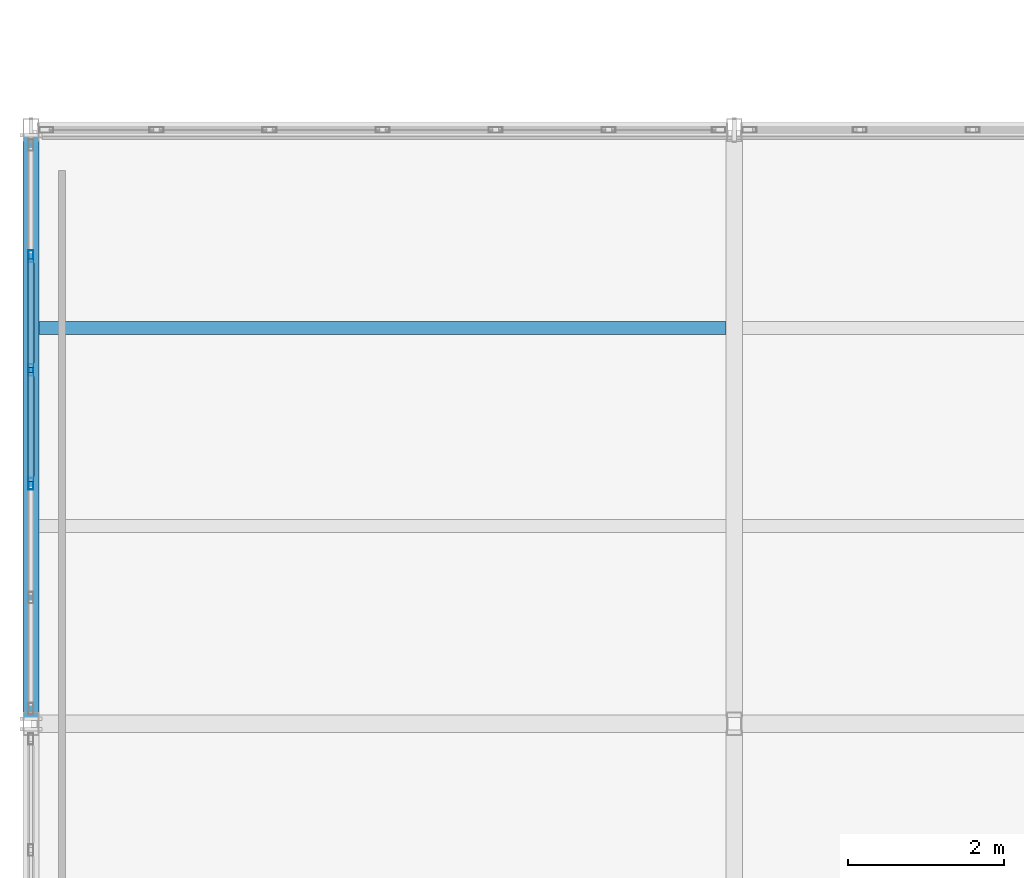
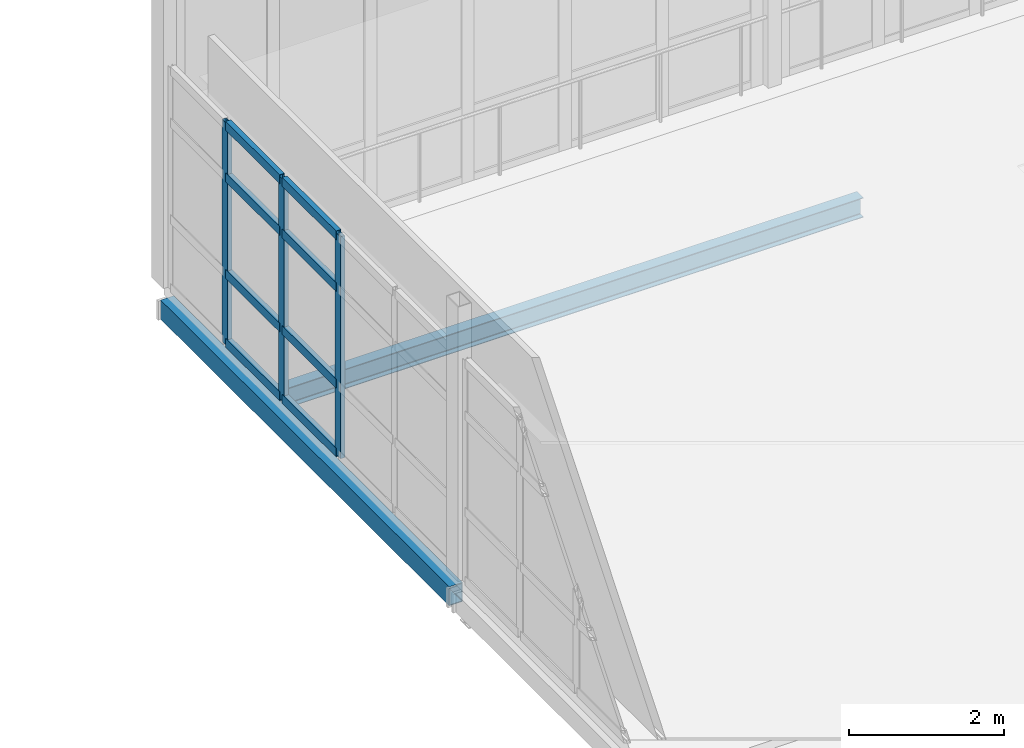
# One storey, part 41 of 166: 11 members, 2 beams, 1 element without a shape of its own.
"""IFC4 building model written with IfcOpenShell, lengths in metres."""

import ifcopenshell
import ifcopenshell.guid

model = None  # the IFC model being written
_history = None  # IfcOwnerHistory: only IFC2X3 demands one
_inside = {}  # id of a spatial element -> (the spatial element, [elements in it])
_under = {}  # id of a project, library or spatial element -> (it, [spatial elements below it])
_declared = {}  # id of a project -> (the project, [libraries it declares])
_typed = {}  # id of a type object -> (the type object, [elements of that type])
_made_of = {}  # id of a material, layer set ... -> (it, [elements and type objects made of it])


def new_model(schema):
    """Start an empty IFC model of exactly this schema.

    Asked for "IFC4X3", IfcOpenShell would pick the latest addendum, in which some entities
    have other attributes; the version numbers below select the first issue.
    IFC2X3 requires an IfcOwnerHistory on every rooted entity: one is made here for all.
    """
    global model, _history
    if schema == "IFC4X3":
        model = ifcopenshell.file(schema_version=(4, 3, 0, 0))
    else:
        model = ifcopenshell.file(schema=schema)
    _inside.clear()
    _under.clear()
    _declared.clear()
    _typed.clear()
    _made_of.clear()
    _history = None
    if model.schema == "IFC2X3":
        org = make("IfcOrganization", Name="unknown")
        user = make(
            "IfcPersonAndOrganization",
            ThePerson=make("IfcPerson", FamilyName="unknown"),
            TheOrganization=org,
        )
        app = make(
            "IfcApplication",
            ApplicationDeveloper=org,
            Version="unknown",
            ApplicationFullName="unknown",
            ApplicationIdentifier="unknown",
        )
        _history = make(
            "IfcOwnerHistory",
            OwningUser=user,
            OwningApplication=app,
            ChangeAction="ADDED",
            CreationDate=0,
        )
    return model


def make(cls, **values):
    """One entity of the class cls with the attributes given. An attribute that is None is left unset."""
    return model.create_entity(
        cls, **{name: value for name, value in values.items() if value is not None}
    )


def rooted(cls, **values):
    """An entity with a GlobalId (a new one), such as an element, a storey or a relation."""
    return make(cls, GlobalId=ifcopenshell.guid.new(), OwnerHistory=_history, **values)


def si_unit(unit_type, name, prefix=None):
    """IfcSIUnit, for example si_unit("LENGTHUNIT", "METRE", prefix="MILLI")."""
    return make("IfcSIUnit", UnitType=unit_type, Prefix=prefix, Name=name)


def assignment(units):
    """IfcUnitAssignment: the units of a project."""
    return None if units is None else make("IfcUnitAssignment", Units=units)


def point(xyz):
    """IfcCartesianPoint."""
    return None if xyz is None else make("IfcCartesianPoint", Coordinates=xyz)


def direction(xyz):
    """IfcDirection."""
    return None if xyz is None else make("IfcDirection", DirectionRatios=xyz)


def frame(location, z_axis=None, x_axis=None):
    """IfcAxis2Placement3D, a coordinate frame: its origin and axes. An axis left out is left unset."""
    return make(
        "IfcAxis2Placement3D",
        Location=point(location),
        Axis=direction(z_axis),
        RefDirection=direction(x_axis),
    )


def frame_2d(location, x_axis=None):
    """IfcAxis2Placement2D, a coordinate frame in the plane: its origin and x axis."""
    return make(
        "IfcAxis2Placement2D", Location=point(location), RefDirection=direction(x_axis)
    )


def origin():
    """The frame at (0, 0, 0) with its axes left unset."""
    return frame((0.0, 0.0, 0.0))


def origin_2d():
    """The frame at (0, 0) in the plane with its x axis left unset."""
    return frame_2d((0.0, 0.0))


def place(relative_to, where):
    """IfcLocalPlacement: puts the frame where relative to a parent placement (None: the world)."""
    return make(
        "IfcLocalPlacement", PlacementRelTo=relative_to, RelativePlacement=where
    )


def context(
    kind, dimensions, precision=None, world=None, true_north=None, identifier=None
):
    """IfcGeometricRepresentationContext, for example the 3D "Model" context."""
    return make(
        "IfcGeometricRepresentationContext",
        ContextIdentifier=identifier,
        ContextType=kind,
        CoordinateSpaceDimension=dimensions,
        Precision=precision,
        WorldCoordinateSystem=world,
        TrueNorth=true_north,
    )


def subcontext(parent, identifier, kind, view, scale=None):
    """IfcGeometricRepresentationSubContext, for example "Body" below "Model"."""
    return make(
        "IfcGeometricRepresentationSubContext",
        ContextIdentifier=identifier,
        ContextType=kind,
        ParentContext=parent,
        TargetScale=scale,
        TargetView=view,
    )


def project(units=None, contexts=None):
    """IfcProject with its units and contexts."""
    return rooted(
        "IfcProject",
        Name="project",
        RepresentationContexts=contexts,
        UnitsInContext=assignment(units),
    )


def spatial(cls, under=None, at=None, **own):
    """A site, building, storey or space (cls), placed at a placement, below another one or the project."""
    s = rooted(cls, ObjectPlacement=at, **own)
    if under is not None:
        _under.setdefault(under.id(), (under, []))[1].append(s)
    return s


def profile(cls, at=None, kind="AREA", **sizes):
    """A parametric profile (cls). Its sizes go by their IFC names, for example OverallWidth=200.0."""
    return make(cls, ProfileType=kind, Position=at, **sizes)


def hollow_rectangle(**sizes):
    """IfcRectangleHollowProfileDef."""
    return profile("IfcRectangleHollowProfileDef", **sizes)


def i_section(**sizes):
    """IfcIShapeProfileDef."""
    return profile("IfcIShapeProfileDef", **sizes)


def extrude(swept, where, along, depth):
    """IfcExtrudedAreaSolid: the profile swept, set in the frame where, extruded along a direction by depth."""
    return make(
        "IfcExtrudedAreaSolid",
        SweptArea=swept,
        Position=where,
        ExtrudedDirection=direction(along),
        Depth=depth,
    )


def shape(context_of_items, identifier, shape_type, items):
    """IfcShapeRepresentation: the items that make up one representation, for example the "Body"."""
    return make(
        "IfcShapeRepresentation",
        ContextOfItems=context_of_items,
        RepresentationIdentifier=identifier,
        RepresentationType=shape_type,
        Items=items,
    )


def material(Name=None, Category=None):
    """IfcMaterial."""
    return make("IfcMaterial", Name=Name, Category=Category)


def material_profile(
    of_material, cross_section, Name=None, Category=None, Priority=None
):
    """IfcMaterialProfile: a cross section and its material."""
    return make(
        "IfcMaterialProfile",
        Name=Name,
        Material=of_material,
        Profile=cross_section,
        Priority=Priority,
        Category=Category,
    )


def profile_set(profiles, Name=None, composite=None):
    """IfcMaterialProfileSet."""
    return make(
        "IfcMaterialProfileSet",
        Name=Name,
        MaterialProfiles=profiles,
        CompositeProfile=composite,
    )


def made_of(thing, what):
    """Note that an element or type object is made of a material, layer set ...; save() writes the relation."""
    if what is not None:
        _made_of.setdefault(what.id(), (what, []))[1].append(thing)
    return thing


def type_object(cls, material=None, **own):
    """A type object (cls), such as IfcWallType, which elements share."""
    return made_of(rooted(cls, **own), material)


def element(
    cls,
    number,
    at=None,
    inside=None,
    cuts=None,
    type_object=None,
    material=None,
    context=None,
    identifier="Body",
    shape_type=None,
    held_by="IfcProductDefinitionShape",
    body=None,
    shapes=None,
    **own,
):
    """One element of the class cls, such as IfcWall. Its Tag is "e" and its number.

    at: its placement. inside: the storey or other place that contains it. cuts: it is an
    opening in that element (IfcRelVoidsElement). A single representation is given by context,
    identifier, shape_type and body (its items); several are given by shapes. held_by: the class
    of the entity that holds the representations. save() writes the other relations.
    """
    e = rooted(cls, Tag="e%d" % number, ObjectPlacement=at, **own)
    if body is not None:
        shapes = [shape(context, identifier, shape_type, body)]
    if shapes is not None:
        e.Representation = make(held_by, Representations=shapes)
    if inside is not None:
        _inside.setdefault(inside.id(), (inside, []))[1].append(e)
    if cuts is not None:
        rooted(
            "IfcRelVoidsElement", RelatingBuildingElement=cuts, RelatedOpeningElement=e
        )
    if type_object is not None:
        _typed.setdefault(type_object.id(), (type_object, []))[1].append(e)
    return made_of(e, material)


def aggregate(whole, parts):
    """IfcRelAggregates: a whole, such as a stair, and the parts it consists of."""
    return rooted("IfcRelAggregates", RelatingObject=whole, RelatedObjects=parts)


def save(model, path):
    """Write the relations noted so far, then the file.

    IfcRelAggregates (storeys below a building ...), IfcRelContainedInSpatialStructure (elements
    in a storey), IfcRelDefinesByType, IfcRelAssociatesMaterial and IfcRelDeclares: one each for
    every whole, place, type object, material and project.
    """
    for whole, parts in _under.values():
        aggregate(whole, parts)
    for where, things in _inside.values():
        rooted(
            "IfcRelContainedInSpatialStructure",
            RelatedElements=things,
            RelatingStructure=where,
        )
    for kind, things in _typed.values():
        rooted("IfcRelDefinesByType", RelatedObjects=things, RelatingType=kind)
    for what, things in _made_of.values():
        rooted("IfcRelAssociatesMaterial", RelatedObjects=things, RelatingMaterial=what)
    for by, libraries in _declared.values():
        rooted("IfcRelDeclares", RelatingContext=by, RelatedDefinitions=libraries)
    model.write(path)


model = new_model("IFC4")

# Units and contexts
model_context = context("Model", 3, precision=1e-05, world=origin(), true_north=direction((0.0, 1.0)))
body_context = subcontext(model_context, "Body", "Model", "MODEL_VIEW")
ifc_project = project(units=[si_unit("LENGTHUNIT", "METRE"), si_unit("AREAUNIT", "SQUARE_METRE"), si_unit("VOLUMEUNIT", "CUBIC_METRE"), si_unit("PLANEANGLEUNIT", "RADIAN"), si_unit("MASSUNIT", "GRAM", prefix="KILO")], contexts=[model_context])

# Site, building, storey
site_placement = place(None, origin())
site = spatial("IfcSite", under=ifc_project, at=site_placement, CompositionType="ELEMENT")
building_placement = place(site_placement, origin())
building = spatial("IfcBuilding", under=site, at=building_placement, Name="Caisbarro Railhouse Central Library", CompositionType="ELEMENT")
storey_placement = place(building_placement, frame((0.0, 0.0, 9.360107421875)))
storey = spatial("IfcBuildingStorey", under=building, at=storey_placement, Name="L02", CompositionType="ELEMENT", Elevation=9.360107421875)

# Beams
ifc_material_1 = material(Name="Steel ASTM A572 Grade 50", Category="steel")
ifc_material_profile_1 = material_profile(ifc_material_1, i_section(OverallWidth=0.1650390625, OverallDepth=0.31005859375, WebThickness=0.005859375, FlangeThickness=0.009765625, FilletRadius=0.011962890625, at=origin_2d()), Name="W310X38.7")
ifc_profile_set_1 = profile_set([ifc_material_profile_1], Name="Steel ASTM A572 Grade 50")
beam_type_1 = type_object("IfcBeamType", Name="BM-J03", PredefinedType="JOIST", material=ifc_profile_set_1)
beam_1_placement = place(storey_placement, frame((0.10009765625, 58.2666015625, -0.375), z_axis=(1.0, 0.0, 0.0), x_axis=(0.0, 1.0, 0.0)))
element("IfcBeam", 1, at=beam_1_placement, inside=storey, type_object=beam_type_1, Name="J03 beam L02 #1425", PredefinedType="JOIST", context=body_context, shape_type="SweptSolid", body=[
    extrude(i_section(OverallWidth=0.1650390625, OverallDepth=0.31005859375, WebThickness=0.005859375, FlangeThickness=0.009765625, FilletRadius=0.011962890625, at=origin_2d()), origin(), (0.0, 0.0, 1.0), 8.79541015625),
])
ifc_material_profile_2 = material_profile(ifc_material_1, hollow_rectangle(XDim=0.199951171875, YDim=0.300048828125, WallThickness=0.012451171875, at=origin_2d()), Name="HSS300X200X12.5")
ifc_profile_set_2 = profile_set([ifc_material_profile_2], Name="Steel ASTM A572 Grade 50")
beam_type_2 = type_object("IfcBeamType", Name="BM-SP02", PredefinedType="SPANDREL", material=ifc_profile_set_2)
beam_2_placement = place(storey_placement, frame((0.0, 53.280029296875, -0.3701171875), z_axis=(0.0, 1.0, 0.0), x_axis=(-1.0, 0.0, 0.0)))
element("IfcBeam", 2, at=beam_2_placement, inside=storey, type_object=beam_type_2, Name="SP02 beam L02 #1391", PredefinedType="SPANDREL", context=body_context, shape_type="SweptSolid", body=[
    extrude(hollow_rectangle(XDim=0.199951171875, YDim=0.300048828125, WallThickness=0.012451171875, at=origin_2d()), origin(), (0.0, 0.0, 1.0), 7.43994140625),
])

# Curtain wall, members
ifc_material_2 = material(Name="Anodised architectural aluminium", Category="aluminium")
curtain_wall_type = type_object("IfcCurtainWallType", Name="CW-CW02", PredefinedType="NOTDEFINED", material=ifc_material_2)
curtain_wall_placement = place(storey_placement, origin())
curtain_wall = element("IfcCurtainWall", 3, at=curtain_wall_placement, inside=storey, type_object=curtain_wall_type, Name="CW02 curtain wall L02 #39", PredefinedType="NOTDEFINED")
ifc_material_profile_3 = material_profile(ifc_material_2, hollow_rectangle(XDim=0.06494140625, YDim=0.14990234375, WallThickness=0.00390625, at=origin_2d()), Name="ALU-MUL-65X150")
ifc_profile_set_3 = profile_set([ifc_material_profile_3], Name="Anodised architectural aluminium")
member_type_1 = type_object("IfcMemberType", Name="CWM-M02", PredefinedType="MULLION", material=ifc_profile_set_3)
member_1_placement = place(storey_placement, frame((0.0, 56.27197265625, 0.0), z_axis=(0.0, 0.0, 1.0), x_axis=(-1.0, 0.0, 0.0)))
member_1 = element("IfcMember", 4, at=member_1_placement, type_object=member_type_1, Name="CW02 mullion 3", PredefinedType="MULLION", context=body_context, shape_type="SweptSolid", body=[
    extrude(hollow_rectangle(XDim=0.06494140625, YDim=0.14990234375, WallThickness=0.00390625, at=origin_2d()), origin(), (0.0, 0.0, 1.0), 3.489990234375),
])
member_2_placement = place(storey_placement, frame((0.0, 57.72802734375, 0.0), z_axis=(0.0, 0.0, 1.0), x_axis=(-1.0, 0.0, 0.0)))
member_2 = element("IfcMember", 5, at=member_2_placement, type_object=member_type_1, Name="CW02 mullion 4", PredefinedType="MULLION", context=body_context, shape_type="SweptSolid", body=[
    extrude(hollow_rectangle(XDim=0.06494140625, YDim=0.14990234375, WallThickness=0.00390625, at=origin_2d()), origin(), (0.0, 0.0, 1.0), 3.489990234375),
])
member_3_placement = place(storey_placement, frame((0.0, 59.18408203125, 0.0), z_axis=(0.0, 0.0, 1.0), x_axis=(-1.0, 0.0, 0.0)))
member_3 = element("IfcMember", 6, at=member_3_placement, type_object=member_type_1, Name="CW02 mullion 5", PredefinedType="MULLION", context=body_context, shape_type="SweptSolid", body=[
    extrude(hollow_rectangle(XDim=0.06494140625, YDim=0.14990234375, WallThickness=0.00390625, at=origin_2d()), origin(), (0.0, 0.0, 1.0), 3.489990234375),
])
ifc_material_profile_4 = material_profile(ifc_material_2, hollow_rectangle(XDim=0.074951171875, YDim=0.139892578125, WallThickness=0.00390625, at=origin_2d()), Name="ALU-TRN-75X140")
ifc_profile_set_4 = profile_set([ifc_material_profile_4], Name="Anodised architectural aluminium")
member_type_2 = type_object("IfcMemberType", Name="CWT-T01", PredefinedType="USERDEFINED", material=ifc_profile_set_4)
member_4_placement = place(storey_placement, frame((0.0, 56.304443359375, 0.037353515625), z_axis=(0.0, 1.0, 0.0), x_axis=(-1.0, 0.0, 0.0)))
member_4 = element("IfcMember", 7, at=member_4_placement, type_object=member_type_2, Name="CW02 transom 3.1", ObjectType="TRANSOM", PredefinedType="USERDEFINED", context=body_context, shape_type="SweptSolid", body=[
    extrude(hollow_rectangle(XDim=0.074951171875, YDim=0.139892578125, WallThickness=0.00390625, at=origin_2d()), origin(), (0.0, 0.0, 1.0), 1.39111328125),
])
member_5_placement = place(storey_placement, frame((0.0, 56.304443359375, 1.119873046875), z_axis=(0.0, 1.0, 0.0), x_axis=(-1.0, 0.0, 0.0)))
member_5 = element("IfcMember", 8, at=member_5_placement, type_object=member_type_2, Name="CW02 transom 3.2", ObjectType="TRANSOM", PredefinedType="USERDEFINED", context=body_context, shape_type="SweptSolid", body=[
    extrude(hollow_rectangle(XDim=0.074951171875, YDim=0.139892578125, WallThickness=0.00390625, at=origin_2d()), origin(), (0.0, 0.0, 1.0), 1.39111328125),
])
member_6_placement = place(storey_placement, frame((0.0, 56.304443359375, 2.639892578125), z_axis=(0.0, 1.0, 0.0), x_axis=(-1.0, 0.0, 0.0)))
member_6 = element("IfcMember", 9, at=member_6_placement, type_object=member_type_2, Name="CW02 transom 3.3", ObjectType="TRANSOM", PredefinedType="USERDEFINED", context=body_context, shape_type="SweptSolid", body=[
    extrude(hollow_rectangle(XDim=0.074951171875, YDim=0.139892578125, WallThickness=0.00390625, at=origin_2d()), origin(), (0.0, 0.0, 1.0), 1.39111328125),
])
member_7_placement = place(storey_placement, frame((0.0, 56.304443359375, 3.452392578125), z_axis=(0.0, 1.0, 0.0), x_axis=(-1.0, 0.0, 0.0)))
member_7 = element("IfcMember", 10, at=member_7_placement, type_object=member_type_2, Name="CW02 transom 3.4", ObjectType="TRANSOM", PredefinedType="USERDEFINED", context=body_context, shape_type="SweptSolid", body=[
    extrude(hollow_rectangle(XDim=0.074951171875, YDim=0.139892578125, WallThickness=0.00390625, at=origin_2d()), origin(), (0.0, 0.0, 1.0), 1.39111328125),
])
member_8_placement = place(storey_placement, frame((0.0, 57.760498046875, 0.037353515625), z_axis=(0.0, 1.0, 0.0), x_axis=(-1.0, 0.0, 0.0)))
member_8 = element("IfcMember", 11, at=member_8_placement, type_object=member_type_2, Name="CW02 transom 4.1", ObjectType="TRANSOM", PredefinedType="USERDEFINED", context=body_context, shape_type="SweptSolid", body=[
    extrude(hollow_rectangle(XDim=0.074951171875, YDim=0.139892578125, WallThickness=0.00390625, at=origin_2d()), origin(), (0.0, 0.0, 1.0), 1.39111328125),
])
member_9_placement = place(storey_placement, frame((0.0, 57.760498046875, 1.119873046875), z_axis=(0.0, 1.0, 0.0), x_axis=(-1.0, 0.0, 0.0)))
member_9 = element("IfcMember", 12, at=member_9_placement, type_object=member_type_2, Name="CW02 transom 4.2", ObjectType="TRANSOM", PredefinedType="USERDEFINED", context=body_context, shape_type="SweptSolid", body=[
    extrude(hollow_rectangle(XDim=0.074951171875, YDim=0.139892578125, WallThickness=0.00390625, at=origin_2d()), origin(), (0.0, 0.0, 1.0), 1.39111328125),
])
member_10_placement = place(storey_placement, frame((0.0, 57.760498046875, 2.639892578125), z_axis=(0.0, 1.0, 0.0), x_axis=(-1.0, 0.0, 0.0)))
member_10 = element("IfcMember", 13, at=member_10_placement, type_object=member_type_2, Name="CW02 transom 4.3", ObjectType="TRANSOM", PredefinedType="USERDEFINED", context=body_context, shape_type="SweptSolid", body=[
    extrude(hollow_rectangle(XDim=0.074951171875, YDim=0.139892578125, WallThickness=0.00390625, at=origin_2d()), origin(), (0.0, 0.0, 1.0), 1.39111328125),
])
member_11_placement = place(storey_placement, frame((0.0, 57.760498046875, 3.452392578125), z_axis=(0.0, 1.0, 0.0), x_axis=(-1.0, 0.0, 0.0)))
member_11 = element("IfcMember", 14, at=member_11_placement, type_object=member_type_2, Name="CW02 transom 4.4", ObjectType="TRANSOM", PredefinedType="USERDEFINED", context=body_context, shape_type="SweptSolid", body=[
    extrude(hollow_rectangle(XDim=0.074951171875, YDim=0.139892578125, WallThickness=0.00390625, at=origin_2d()), origin(), (0.0, 0.0, 1.0), 1.39111328125),
])
aggregate(curtain_wall, [member_1, member_2, member_3, member_4, member_5, member_6, member_7, member_8, member_9, member_10, member_11])

save(model, "model.ifc")
